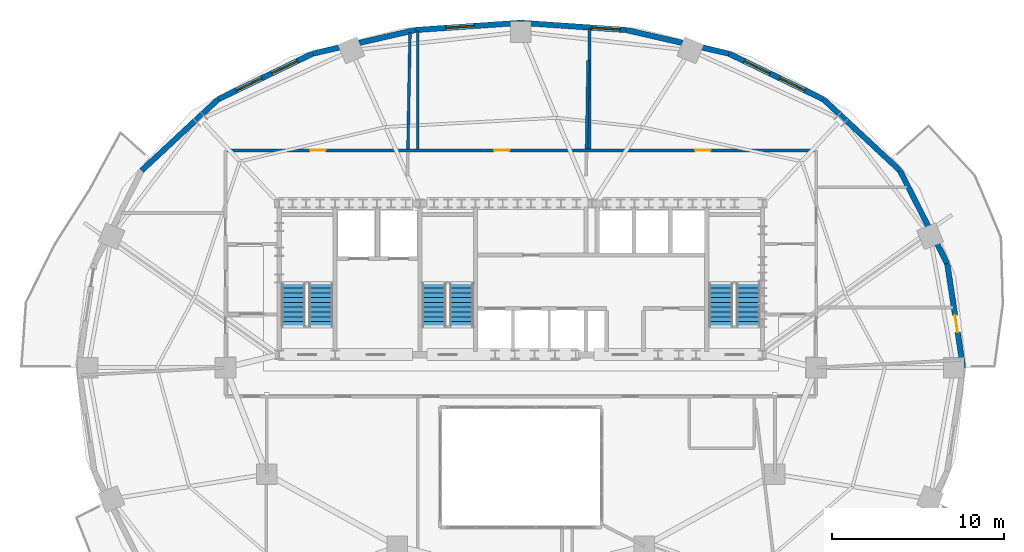
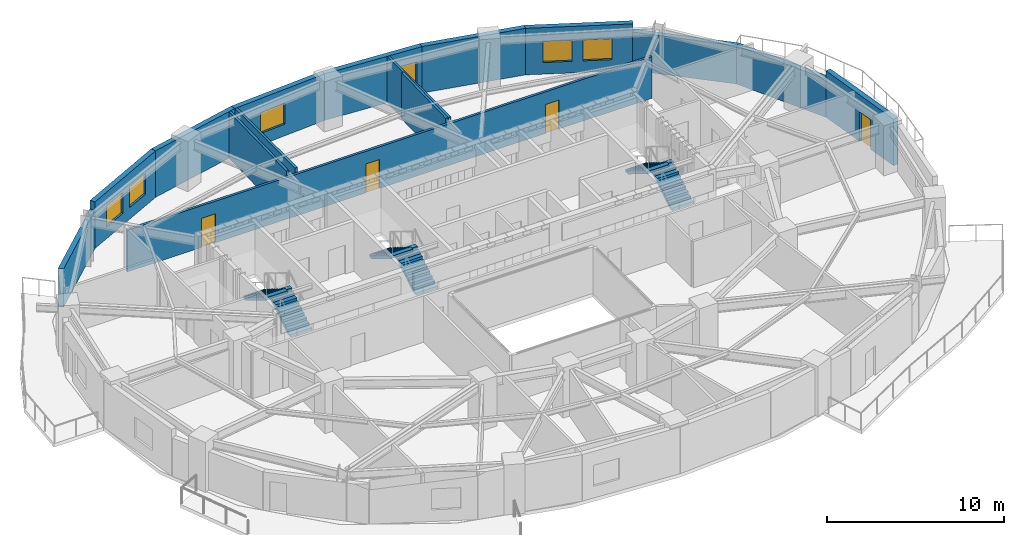
# One storey, part 8 of 11: 15 walls, 6 stair flights, 6 windows, 4 doors, 10 openings, 3 elements without a shape of their own.
"""IFC4 building model written with IfcOpenShell, lengths in metres."""

from ifc_helpers import new_model, si_unit, direction, frame, frame_2d, origin, place, context, subcontext, project, spatial, polyline, rectangle, outline, extrude, material, layer, layer_set, type_object, element, fill, aggregate, save


model = new_model("IFC4")

# Units and contexts
model_context = context("Model", 3, precision=1e-05, world=origin(), true_north=direction((0.0, 1.0)))
body_context = subcontext(model_context, "Body", "Model", "MODEL_VIEW")
ifc_project = project(units=[si_unit("LENGTHUNIT", "METRE"), si_unit("AREAUNIT", "SQUARE_METRE"), si_unit("VOLUMEUNIT", "CUBIC_METRE"), si_unit("PLANEANGLEUNIT", "RADIAN"), si_unit("MASSUNIT", "GRAM", prefix="KILO")], contexts=[model_context])

# Site, building, storey
site_placement = place(None, origin())
site = spatial("IfcSite", under=ifc_project, at=site_placement, CompositionType="ELEMENT")
building_placement = place(site_placement, origin())
building = spatial("IfcBuilding", under=site, at=building_placement, Name="Haldorwick Loom Tower", CompositionType="ELEMENT")
storey_placement = place(building_placement, frame((0.0, 0.0, 164.800048828125)))
storey = spatial("IfcBuildingStorey", under=building, at=storey_placement, Name="L44", CompositionType="ELEMENT", Elevation=164.800048828125)

# Wall, opening, door
ifc_material_1 = material(Name="Pressed Clay Face Brick and Insulated Masonry Backup Assembly", Category="masonry")
ifc_layer_1 = layer(ifc_material_1, 0.320068359375, Name="Pressed Clay Face Brick and Insulated Masonry Backup Assembly", Category="masonry")
ifc_layer_set_1 = layer_set([ifc_layer_1], Name="Pressed Clay Face Brick and Insulated Masonry Backup Assembly")
wall_type_1 = type_object("IfcWallType", Name="ARC-WL-EXT320", PredefinedType="STANDARD", material=ifc_layer_set_1)
wall_1_placement = place(storey_placement, frame((61.757080078125, 26.0, 0.0), z_axis=(0.0, 0.0, 1.0), x_axis=(-0.150544467684, 0.988603238539, 0.0)))
wall_1 = element("IfcWall", 1, at=wall_1_placement, inside=storey, type_object=wall_type_1, Name="L44 Brick Pier and Spandrel Wall 1", PredefinedType="STANDARD", context=body_context, shape_type="SweptSolid", body=[
    extrude(rectangle(XDim=6.125244140625, YDim=0.320068359375, at=frame_2d((3.0625, 0.0))), origin(), (0.0, 0.0, 1.0), 3.2099609375),
])
opening_1_placement = place(wall_1_placement, frame((2.08203125, 0.0, 0.0)))
opening_1 = element("IfcOpeningElement", 2, at=opening_1_placement, cuts=wall_1, Name="Opening D-BL10", PredefinedType="OPENING", context=body_context, shape_type="SweptSolid", body=[
    extrude(rectangle(XDim=1.0, YDim=2.0400390625, at=frame_2d((0.5, 1.02001953125))), frame((0.0, 0.169921875, 0.0), z_axis=(0.0, -1.0, 0.0), x_axis=(1.0, 0.0, 0.0)), (0.0, 0.0, 1.0), 0.340087890625),
])
ifc_material_2 = material(Name="Thermally Broken Anodized Aluminium Curtain Wall Framing", Category="aluminium")
door_type_1 = type_object("IfcDoorType", Name="ARC-DR-BAL100", OperationType="NOTDEFINED", PredefinedType="DOOR", material=ifc_material_2)
door_1_placement = place(opening_1_placement, origin())
door_1 = element("IfcDoor", 3, at=door_1_placement, inside=storey, type_object=door_type_1, Name="L44 Outdoor Terrace Door SLB-L44-BAL_ENE", OperationType="SINGLE_SWING_RIGHT", OverallHeight=2.0400390625, OverallWidth=1.0, PredefinedType="DOOR", context=body_context, shape_type="SweptSolid", body=[
    extrude(rectangle(XDim=1.0, YDim=2.0400390625, at=frame_2d((0.5, 1.02001953125))), frame((0.0, 0.02490234375, 0.0), z_axis=(0.0, -1.0, 0.0), x_axis=(1.0, 0.0, 0.0)), (0.0, 0.0, 1.0), 0.050048828125),
])
fill(opening_1, door_1)

# Walls
wall_2_placement = place(storey_placement, frame((60.8349609375, 32.055419921875, 0.0), z_axis=(0.0, 0.0, 1.0), x_axis=(-0.453172129629, 0.89142303141, 0.0)))
element("IfcWall", 4, at=wall_2_placement, inside=storey, type_object=wall_type_1, Name="L44 Brick Pier and Spandrel Wall 2", PredefinedType="STANDARD", context=body_context, shape_type="SweptSolid", body=[
    extrude(rectangle(XDim=6.086669921875, YDim=0.320068359375, at=frame_2d((3.04345703125, 0.0))), origin(), (0.0, 0.0, 1.0), 2.640869140625),
])
wall_3_placement = place(storey_placement, frame((58.07666015625, 37.481201171875, 0.0), z_axis=(0.0, 0.0, 1.0), x_axis=(-0.732001571644, 0.681302942244, 0.0)))
element("IfcWall", 5, at=wall_3_placement, inside=storey, type_object=wall_type_1, Name="L44 Brick Pier and Spandrel Wall 3", PredefinedType="STANDARD", context=body_context, shape_type="SweptSolid", body=[
    extrude(rectangle(XDim=6.0869140625, YDim=0.320068359375, at=frame_2d((3.04345703125, 0.0))), origin(), (0.0, 0.0, 1.0), 2.640869140625),
])

# Wall, openings, windows
wall_4_placement = place(storey_placement, frame((53.62109375, 41.628173828125, 0.0), z_axis=(0.0, 0.0, 1.0), x_axis=(-0.900472429216, 0.43491309962, 0.0)))
wall_4 = element("IfcWall", 6, at=wall_4_placement, inside=storey, type_object=wall_type_1, Name="L44 Brick Pier and Spandrel Wall 4", PredefinedType="STANDARD", context=body_context, shape_type="SweptSolid", body=[
    extrude(rectangle(XDim=6.1181640625, YDim=0.320068359375, at=frame_2d((3.05908203125, 0.0))), origin(), (0.0, 0.0, 1.0), 3.2099609375),
])
opening_2_placement = place(wall_4_placement, frame((1.181884765625, 0.0, 0.800048828125)))
opening_2 = element("IfcOpeningElement", 7, at=opening_2_placement, cuts=wall_4, Name="Opening W-01B", PredefinedType="OPENING", context=body_context, shape_type="SweptSolid", body=[
    extrude(rectangle(XDim=1.64990234375, YDim=1.449951171875, at=frame_2d((0.824951171875, 0.72509765625))), frame((0.0, 0.169921875, 0.0), z_axis=(0.0, -1.0, 0.0), x_axis=(1.0, 0.0, 0.0)), (0.0, 0.0, 1.0), 0.340087890625),
])
opening_3_placement = place(wall_4_placement, frame((3.4580078125, 0.0, 0.800048828125)))
opening_3 = element("IfcOpeningElement", 8, at=opening_3_placement, cuts=wall_4, Name="Opening W-01B", PredefinedType="OPENING", context=body_context, shape_type="SweptSolid", body=[
    extrude(rectangle(XDim=1.64990234375, YDim=1.449951171875, at=frame_2d((0.824951171875, 0.72509765625))), frame((0.0, 0.169921875, 0.0), z_axis=(0.0, -1.0, 0.0), x_axis=(1.0, 0.0, 0.0)), (0.0, 0.0, 1.0), 0.340087890625),
])
ifc_material_3 = material(Name="Triple-Glazed Low-E Argon Insulated Glazing Unit", Category="glass")
window_type = type_object("IfcWindowType", Name="ARC-WIN-W165", PartitioningType="SINGLE_PANEL", PredefinedType="WINDOW", material=ifc_material_3)
window_1_placement = place(opening_2_placement, origin())
window_1 = element("IfcWindow", 9, at=window_1_placement, inside=storey, type_object=window_type, Name="L44 Deep-Set Zone 7A Window 4", OverallHeight=1.449951171875, OverallWidth=1.64990234375, PartitioningType="SINGLE_PANEL", PredefinedType="WINDOW", context=body_context, shape_type="SweptSolid", body=[
    extrude(rectangle(XDim=1.64990234375, YDim=1.449951171875, at=frame_2d((0.824951171875, 0.72509765625))), frame((0.0, 0.030029296875, 0.0), z_axis=(0.0, -1.0, 0.0), x_axis=(1.0, 0.0, 0.0)), (0.0, 0.0, 1.0), 0.06005859375),
])
fill(opening_2, window_1)
window_2_placement = place(opening_3_placement, origin())
window_2 = element("IfcWindow", 10, at=window_2_placement, inside=storey, type_object=window_type, Name="L44 Deep-Set Zone 7A Window 4", OverallHeight=1.449951171875, OverallWidth=1.64990234375, PartitioningType="SINGLE_PANEL", PredefinedType="WINDOW", context=body_context, shape_type="SweptSolid", body=[
    extrude(rectangle(XDim=1.64990234375, YDim=1.449951171875, at=frame_2d((0.824951171875, 0.72509765625))), frame((0.0, 0.030029296875, 0.0), z_axis=(0.0, -1.0, 0.0), x_axis=(1.0, 0.0, 0.0)), (0.0, 0.0, 1.0), 0.06005859375),
])
fill(opening_3, window_2)

# Wall
wall_5_placement = place(storey_placement, frame((48.11181640625, 44.2890625, 0.0), z_axis=(0.0, 0.0, 1.0), x_axis=(-0.974593223547, 0.223982250674, 0.0)))
element("IfcWall", 11, at=wall_5_placement, inside=storey, type_object=wall_type_1, Name="L44 Brick Pier and Spandrel Wall 5", PredefinedType="STANDARD", context=body_context, shape_type="SweptSolid", body=[
    extrude(rectangle(XDim=6.138916015625, YDim=0.320068359375, at=frame_2d((3.0693359375, 0.0))), origin(), (0.0, 0.0, 1.0), 3.2099609375),
])

# Wall, opening, window
wall_6_placement = place(storey_placement, frame((42.12890625, 45.6640625, 0.0), z_axis=(0.0, 0.0, 1.0), x_axis=(-0.997652942988, 0.068473391522, 0.0)))
wall_6 = element("IfcWall", 12, at=wall_6_placement, inside=storey, type_object=wall_type_1, Name="L44 Brick Pier and Spandrel Wall 6", PredefinedType="STANDARD", context=body_context, shape_type="SweptSolid", body=[
    extrude(rectangle(XDim=6.143310546875, YDim=0.320068359375, at=frame_2d((3.07177734375, 0.0))), origin(), (0.0, 0.0, 1.0), 3.2099609375),
])
opening_4_placement = place(wall_6_placement, frame((0.340087890625, 0.0, 0.800048828125)))
opening_4 = element("IfcOpeningElement", 13, at=opening_4_placement, cuts=wall_6, Name="Opening W-01B", PredefinedType="OPENING", context=body_context, shape_type="SweptSolid", body=[
    extrude(rectangle(XDim=1.64990234375, YDim=1.449951171875, at=frame_2d((0.824951171875, 0.72509765625))), frame((0.0, 0.169921875, 0.0), z_axis=(0.0, -1.0, 0.0), x_axis=(1.0, 0.0, 0.0)), (0.0, 0.0, 1.0), 0.340087890625),
])
window_3_placement = place(opening_4_placement, origin())
window_3 = element("IfcWindow", 14, at=window_3_placement, inside=storey, type_object=window_type, Name="L44 Deep-Set Zone 7A Window 6", OverallHeight=1.449951171875, OverallWidth=1.64990234375, PartitioningType="SINGLE_PANEL", PredefinedType="WINDOW", context=body_context, shape_type="SweptSolid", body=[
    extrude(rectangle(XDim=1.64990234375, YDim=1.449951171875, at=frame_2d((0.824951171875, 0.72509765625))), frame((0.0, 0.030029296875, 0.0), z_axis=(0.0, -1.0, 0.0), x_axis=(1.0, 0.0, 0.0)), (0.0, 0.0, 1.0), 0.06005859375),
])
fill(opening_4, window_3)

wall_7_placement = place(storey_placement, frame((36.0, 46.084716796875, 0.0), z_axis=(0.0, 0.0, 1.0), x_axis=(-0.997652942988, -0.068473391522, 0.0)))
wall_7 = element("IfcWall", 15, at=wall_7_placement, inside=storey, type_object=wall_type_1, Name="L44 Brick Pier and Spandrel Wall 7", PredefinedType="STANDARD", context=body_context, shape_type="SweptSolid", body=[
    extrude(rectangle(XDim=6.143310546875, YDim=0.320068359375, at=frame_2d((3.07177734375, 0.0))), origin(), (0.0, 0.0, 1.0), 3.2099609375),
])
opening_5_placement = place(wall_7_placement, frame((2.723388671875, 0.0, 0.800048828125)))
opening_5 = element("IfcOpeningElement", 16, at=opening_5_placement, cuts=wall_7, Name="Opening W-01B", PredefinedType="OPENING", context=body_context, shape_type="SweptSolid", body=[
    extrude(rectangle(XDim=1.64990234375, YDim=1.449951171875, at=frame_2d((0.824951171875, 0.72509765625))), frame((0.0, 0.169921875, 0.0), z_axis=(0.0, -1.0, 0.0), x_axis=(1.0, 0.0, 0.0)), (0.0, 0.0, 1.0), 0.340087890625),
])
window_4_placement = place(opening_5_placement, origin())
window_4 = element("IfcWindow", 17, at=window_4_placement, inside=storey, type_object=window_type, Name="L44 Deep-Set Zone 7A Window 7", OverallHeight=1.449951171875, OverallWidth=1.64990234375, PartitioningType="SINGLE_PANEL", PredefinedType="WINDOW", context=body_context, shape_type="SweptSolid", body=[
    extrude(rectangle(XDim=1.64990234375, YDim=1.449951171875, at=frame_2d((0.824951171875, 0.72509765625))), frame((0.0, 0.030029296875, 0.0), z_axis=(0.0, -1.0, 0.0), x_axis=(1.0, 0.0, 0.0)), (0.0, 0.0, 1.0), 0.06005859375),
])
fill(opening_5, window_4)

# Wall
wall_8_placement = place(storey_placement, frame((29.87109375, 45.6640625, 0.0), z_axis=(0.0, 0.0, 1.0), x_axis=(-0.974593223547, -0.223982250674, 0.0)))
element("IfcWall", 18, at=wall_8_placement, inside=storey, type_object=wall_type_1, Name="L44 Brick Pier and Spandrel Wall 8", PredefinedType="STANDARD", context=body_context, shape_type="SweptSolid", body=[
    extrude(rectangle(XDim=6.138916015625, YDim=0.320068359375, at=frame_2d((3.0693359375, 0.0))), origin(), (0.0, 0.0, 1.0), 3.2099609375),
])

# Wall, openings, windows
wall_9_placement = place(storey_placement, frame((23.88818359375, 44.2890625, 0.0), z_axis=(0.0, 0.0, 1.0), x_axis=(-0.900479976617, -0.434897472644, 0.0)))
wall_9 = element("IfcWall", 19, at=wall_9_placement, inside=storey, type_object=wall_type_1, Name="L44 Brick Pier and Spandrel Wall 9", PredefinedType="STANDARD", context=body_context, shape_type="SweptSolid", body=[
    extrude(rectangle(XDim=6.118408203125, YDim=0.320068359375, at=frame_2d((3.05908203125, 0.0))), origin(), (0.0, 0.0, 1.0), 3.2099609375),
])
opening_6_placement = place(wall_9_placement, frame((1.010498046875, 0.0, 0.800048828125)))
opening_6 = element("IfcOpeningElement", 20, at=opening_6_placement, cuts=wall_9, Name="Opening W-01B", PredefinedType="OPENING", context=body_context, shape_type="SweptSolid", body=[
    extrude(rectangle(XDim=1.64990234375, YDim=1.449951171875, at=frame_2d((0.824951171875, 0.72509765625))), frame((0.0, 0.169921875, 0.0), z_axis=(0.0, -1.0, 0.0), x_axis=(1.0, 0.0, 0.0)), (0.0, 0.0, 1.0), 0.340087890625),
])
opening_7_placement = place(wall_9_placement, frame((3.28662109375, 0.0, 0.800048828125)))
opening_7 = element("IfcOpeningElement", 21, at=opening_7_placement, cuts=wall_9, Name="Opening W-01B", PredefinedType="OPENING", context=body_context, shape_type="SweptSolid", body=[
    extrude(rectangle(XDim=1.64990234375, YDim=1.449951171875, at=frame_2d((0.824951171875, 0.72509765625))), frame((0.0, 0.169921875, 0.0), z_axis=(0.0, -1.0, 0.0), x_axis=(1.0, 0.0, 0.0)), (0.0, 0.0, 1.0), 0.340087890625),
])
window_5_placement = place(opening_6_placement, origin())
window_5 = element("IfcWindow", 22, at=window_5_placement, inside=storey, type_object=window_type, Name="L44 Deep-Set Zone 7A Window 9", OverallHeight=1.449951171875, OverallWidth=1.64990234375, PartitioningType="SINGLE_PANEL", PredefinedType="WINDOW", context=body_context, shape_type="SweptSolid", body=[
    extrude(rectangle(XDim=1.64990234375, YDim=1.449951171875, at=frame_2d((0.824951171875, 0.72509765625))), frame((0.0, 0.030029296875, 0.0), z_axis=(0.0, -1.0, 0.0), x_axis=(1.0, 0.0, 0.0)), (0.0, 0.0, 1.0), 0.06005859375),
])
fill(opening_6, window_5)
window_6_placement = place(opening_7_placement, origin())
window_6 = element("IfcWindow", 23, at=window_6_placement, inside=storey, type_object=window_type, Name="L44 Deep-Set Zone 7A Window 9", OverallHeight=1.449951171875, OverallWidth=1.64990234375, PartitioningType="SINGLE_PANEL", PredefinedType="WINDOW", context=body_context, shape_type="SweptSolid", body=[
    extrude(rectangle(XDim=1.64990234375, YDim=1.449951171875, at=frame_2d((0.824951171875, 0.72509765625))), frame((0.0, 0.030029296875, 0.0), z_axis=(0.0, -1.0, 0.0), x_axis=(1.0, 0.0, 0.0)), (0.0, 0.0, 1.0), 0.06005859375),
])
fill(opening_7, window_6)

# Wall
wall_10_placement = place(storey_placement, frame((18.378662109375, 41.628173828125, 0.0), z_axis=(0.0, 0.0, 1.0), x_axis=(-0.731982952968, -0.681322945866, 0.0)))
element("IfcWall", 24, at=wall_10_placement, inside=storey, type_object=wall_type_1, Name="L44 Brick Pier and Spandrel Wall 10", PredefinedType="STANDARD", context=body_context, shape_type="SweptSolid", body=[
    extrude(rectangle(XDim=6.086669921875, YDim=0.320068359375, at=frame_2d((3.04345703125, 0.0))), origin(), (0.0, 0.0, 1.0), 2.640869140625),
])

# Wall, openings, doors
ifc_material_4 = material(Name="Fire-Rated Type X Gypsum Stud Assembly EI 60")
ifc_layer_2 = layer(ifc_material_4, 0.159912109375, Name="Fire-Rated Type X Gypsum Stud Assembly EI 60")
ifc_layer_set_2 = layer_set([ifc_layer_2], Name="Fire-Rated Type X Gypsum Stud Assembly EI 60")
wall_type_2 = type_object("IfcWallType", Name="ARC-WL-FIRE160", PredefinedType="PARTITIONING", material=ifc_layer_set_2)
wall_11_placement = place(storey_placement, frame((18.883056640625, 38.64990234375, 0.0), z_axis=(0.0, 0.0, 1.0), x_axis=(1.0, 0.0, 0.0)))
wall_11 = element("IfcWall", 25, at=wall_11_placement, inside=storey, type_object=wall_type_2, Name="L44 Residential Fire Partition L44-CR-N0", PredefinedType="PARTITIONING", context=body_context, shape_type="SweptSolid", body=[
    extrude(rectangle(XDim=34.23388671875, YDim=0.159912109375, at=frame_2d((17.116943359375, 0.0))), origin(), (0.0, 0.0, 1.0), 2.8720703125),
])
opening_8_placement = place(wall_11_placement, frame((27.2685546875, 0.0, 0.0)))
opening_8 = element("IfcOpeningElement", 26, at=opening_8_placement, cuts=wall_11, Name="Opening D-FD60A", PredefinedType="OPENING", context=body_context, shape_type="SweptSolid", body=[
    extrude(rectangle(XDim=0.89990234375, YDim=2.0, at=frame_2d((0.449951171875, 1.0))), frame((0.0, 0.08984375, 0.0), z_axis=(0.0, -1.0, 0.0), x_axis=(1.0, 0.0, 0.0)), (0.0, 0.0, 1.0), 0.179931640625),
])
opening_9_placement = place(wall_11_placement, frame((4.8505859375, 0.0, 0.0)))
opening_9 = element("IfcOpeningElement", 27, at=opening_9_placement, cuts=wall_11, Name="Opening D-FD60A", PredefinedType="OPENING", context=body_context, shape_type="SweptSolid", body=[
    extrude(rectangle(XDim=0.89990234375, YDim=2.0, at=frame_2d((0.449951171875, 1.0))), frame((0.0, 0.08984375, 0.0), z_axis=(0.0, -1.0, 0.0), x_axis=(1.0, 0.0, 0.0)), (0.0, 0.0, 1.0), 0.179931640625),
])
opening_10_placement = place(wall_11_placement, frame((15.562744140625, 0.0, 0.0)))
opening_10 = element("IfcOpeningElement", 28, at=opening_10_placement, cuts=wall_11, Name="Opening D-FD60A", PredefinedType="OPENING", context=body_context, shape_type="SweptSolid", body=[
    extrude(rectangle(XDim=0.89990234375, YDim=2.0, at=frame_2d((0.449951171875, 1.0))), frame((0.0, 0.08984375, 0.0), z_axis=(0.0, -1.0, 0.0), x_axis=(1.0, 0.0, 0.0)), (0.0, 0.0, 1.0), 0.179931640625),
])
ifc_material_5 = material(Name="Hollow Steel Fire Door Assembly", Category="steel")
door_type_2 = type_object("IfcDoorType", Name="ARC-DR-FD60-90", OperationType="NOTDEFINED", PredefinedType="DOOR", material=ifc_material_5)
door_2_placement = place(opening_8_placement, frame((0.89990234375, 0.0, 0.0), z_axis=(0.0, 0.0, 1.0), x_axis=(-1.0, 0.0, 0.0)))
door_2 = element("IfcDoor", 29, at=door_2_placement, inside=storey, type_object=door_type_2, Name="L44 Tenant Seminar Meeting Room 3 to L44 North Residential Corridor Door", OperationType="SINGLE_SWING_RIGHT", OverallHeight=2.0, OverallWidth=0.89990234375, PredefinedType="DOOR", context=body_context, shape_type="SweptSolid", body=[
    extrude(rectangle(XDim=0.89990234375, YDim=2.0, at=frame_2d((0.449951171875, 1.0))), frame((0.0, 0.02490234375, 0.0), z_axis=(0.0, -1.0, 0.0), x_axis=(1.0, 0.0, 0.0)), (0.0, 0.0, 1.0), 0.050048828125),
])
fill(opening_8, door_2)
door_3_placement = place(opening_9_placement, frame((0.89990234375, 0.0, 0.0), z_axis=(0.0, 0.0, 1.0), x_axis=(-1.0, 0.0, 0.0)))
door_3 = element("IfcDoor", 30, at=door_3_placement, inside=storey, type_object=door_type_2, Name="L44 Tenant Seminar Meeting Room 2 to L44 North Residential Corridor Door", OperationType="SINGLE_SWING_LEFT", OverallHeight=2.0, OverallWidth=0.89990234375, PredefinedType="DOOR", context=body_context, shape_type="SweptSolid", body=[
    extrude(rectangle(XDim=0.89990234375, YDim=2.0, at=frame_2d((0.449951171875, 1.0))), frame((0.0, 0.02490234375, 0.0), z_axis=(0.0, -1.0, 0.0), x_axis=(1.0, 0.0, 0.0)), (0.0, 0.0, 1.0), 0.050048828125),
])
fill(opening_9, door_3)
door_4_placement = place(opening_10_placement, frame((0.89990234375, 0.0, 0.0), z_axis=(0.0, 0.0, 1.0), x_axis=(-1.0, 0.0, 0.0)))
door_4 = element("IfcDoor", 31, at=door_4_placement, inside=storey, type_object=door_type_2, Name="L44 Tenant Seminar Meeting Room 4 to L44 North Residential Corridor Door", OperationType="SINGLE_SWING_RIGHT", OverallHeight=2.0, OverallWidth=0.89990234375, PredefinedType="DOOR", context=body_context, shape_type="SweptSolid", body=[
    extrude(rectangle(XDim=0.89990234375, YDim=2.0, at=frame_2d((0.449951171875, 1.0))), frame((0.0, 0.02490234375, 0.0), z_axis=(0.0, -1.0, 0.0), x_axis=(1.0, 0.0, 0.0)), (0.0, 0.0, 1.0), 0.050048828125),
])
fill(opening_10, door_4)

# Walls
wall_12_placement = place(storey_placement, frame((30.0, 38.73291015625, 0.0), z_axis=(0.0, 0.0, 1.0), x_axis=(0.0, 1.0, 0.0)))
element("IfcWall", 32, at=wall_12_placement, inside=storey, type_object=wall_type_2, Name="L44 Residential Fire Partition L44-NBP-0", PredefinedType="PARTITIONING", context=body_context, shape_type="SweptSolid", body=[
    extrude(rectangle(XDim=6.874755859375, YDim=0.159912109375, at=frame_2d((3.4375, 0.0))), origin(), (0.0, 0.0, 1.0), 3.195068359375),
])
wall_13_placement = place(storey_placement, frame((40.0, 38.73291015625, 0.0), z_axis=(0.0, 0.0, 1.0), x_axis=(0.0, 1.0, 0.0)))
element("IfcWall", 33, at=wall_13_placement, inside=storey, type_object=wall_type_2, Name="L44 Residential Fire Partition L44-NBP-1", PredefinedType="PARTITIONING", context=body_context, shape_type="SweptSolid", body=[
    extrude(rectangle(XDim=7.011962890625, YDim=0.159912109375, at=frame_2d((3.505859375, 0.0))), origin(), (0.0, 0.0, 1.0), 3.195068359375),
])
wall_14_placement = place(storey_placement, frame((29.427490234375, 38.73291015625, 0.0), z_axis=(0.0, 0.0, 1.0), x_axis=(0.017401176434, 0.999848588067, 0.0)))
element("IfcWall", 34, at=wall_14_placement, inside=storey, type_object=wall_type_2, Name="L44 Residential Fire Partition L44-UPN-12", PredefinedType="PARTITIONING", context=body_context, shape_type="SweptSolid", body=[
    extrude(rectangle(XDim=6.79052734375, YDim=0.159912109375, at=frame_2d((3.395263671875, 0.0))), origin(), (0.0, 0.0, 1.0), 3.195068359375),
])
wall_15_placement = place(storey_placement, frame((39.827392578125, 38.73291015625, 0.0), z_axis=(0.0, 0.0, 1.0), x_axis=(0.017408054836, 0.999848468332, 0.0)))
element("IfcWall", 35, at=wall_15_placement, inside=storey, type_object=wall_type_2, Name="L44 Residential Fire Partition L44-UPN-13", PredefinedType="PARTITIONING", context=body_context, shape_type="SweptSolid", body=[
    extrude(rectangle(XDim=5.14697265625, YDim=0.159912109375, at=frame_2d((2.573486328125, 0.0))), origin(), (0.0, 0.0, 1.0), 3.195068359375),
])

# Stair, stair flights
ifc_material_6 = material(Name="Concrete C40 (40 MPa)", Category="concrete")
stair_type = type_object("IfcStairType", Name="STR-STR-CORE", PredefinedType="HALF_TURN_STAIR", material=ifc_material_6)
stair_1_placement = place(storey_placement, origin())
stair_1 = element("IfcStair", 36, at=stair_1_placement, inside=storey, type_object=stair_type, Name="L44 Exit Stair ST-01", PredefinedType="HALF_TURN_STAIR")
stair_flight_type = type_object("IfcStairFlightType", Name="STR-STF-1250", PredefinedType="STRAIGHT", material=ifc_material_6)
stair_flight_1_placement = place(storey_placement, frame((24.35009765625, 28.39990234375, 0.0), z_axis=(0.0, 0.0, 1.0), x_axis=(0.0, 1.0, 0.0)))
stair_flight_1 = element("IfcStairFlight", 37, at=stair_flight_1_placement, type_object=stair_flight_type, Name="ST-01 flight 1", NumberOfRisers=10, NumberOfTreads=9, PredefinedType="STRAIGHT", RiserHeight=0.1725, TreadLength=0.28, context=body_context, shape_type="SweptSolid", body=[
    extrude(outline(polyline([(0.0, 0.0), (0.0, 0.172607421875), (0.280029296875, 0.172607421875), (0.280029296875, 0.344970703125), (0.56005859375, 0.344970703125), (0.56005859375, 0.517578125), (0.840087890625, 0.517578125), (0.840087890625, 0.68994140625), (1.1201171875, 0.68994140625), (1.1201171875, 0.862548828125), (1.39990234375, 0.862548828125), (1.39990234375, 1.034912109375), (1.679931640625, 1.034912109375), (1.679931640625, 1.20751953125), (1.9599609375, 1.20751953125), (1.9599609375, 1.3798828125), (2.239990234375, 1.3798828125), (2.239990234375, 1.552490234375), (2.52001953125, 1.552490234375), (2.52001953125, 1.72509765625), (2.52001953125, 1.37646484375), (0.285888671875, 0.0), (0.0, 0.0)])), frame((0.0, 0.699951171875, 0.0), z_axis=(0.0, -1.0, 0.0), x_axis=(1.0, 0.0, 0.0)), (0.0, 0.0, 1.0), 1.39990234375),
])
stair_flight_2_placement = place(storey_placement, frame((22.75, 30.919921875, 1.724853515625), z_axis=(0.0, 0.0, 1.0), x_axis=(0.0, -1.0, 0.0)))
stair_flight_2 = element("IfcStairFlight", 38, at=stair_flight_2_placement, type_object=stair_flight_type, Name="ST-01 flight 2", NumberOfRisers=10, NumberOfTreads=9, PredefinedType="STRAIGHT", RiserHeight=0.1725, TreadLength=0.28, context=body_context, shape_type="SweptSolid", body=[
    extrude(outline(polyline([(0.0, 0.0), (0.0, 0.172607421875), (0.280029296875, 0.172607421875), (0.280029296875, 0.344970703125), (0.56005859375, 0.344970703125), (0.56005859375, 0.517578125), (0.840087890625, 0.517578125), (0.840087890625, 0.68994140625), (1.1201171875, 0.68994140625), (1.1201171875, 0.862548828125), (1.39990234375, 0.862548828125), (1.39990234375, 1.034912109375), (1.679931640625, 1.034912109375), (1.679931640625, 1.20751953125), (1.9599609375, 1.20751953125), (1.9599609375, 1.3798828125), (2.239990234375, 1.3798828125), (2.239990234375, 1.552490234375), (2.52001953125, 1.552490234375), (2.52001953125, 1.72509765625), (2.52001953125, 1.37646484375), (0.285888671875, 0.0), (0.0, 0.0)])), frame((0.0, 0.699951171875, 0.0), z_axis=(0.0, -1.0, 0.0), x_axis=(1.0, 0.0, 0.0)), (0.0, 0.0, 1.0), 1.39990234375),
])
aggregate(stair_1, [stair_flight_1, stair_flight_2])

stair_2_placement = place(storey_placement, origin())
stair_2 = element("IfcStair", 39, at=stair_2_placement, inside=storey, type_object=stair_type, Name="L44 Exit Stair ST-02", PredefinedType="HALF_TURN_STAIR")
stair_flight_3_placement = place(storey_placement, frame((49.25, 28.39990234375, 0.0), z_axis=(0.0, 0.0, 1.0), x_axis=(0.0, 1.0, 0.0)))
stair_flight_3 = element("IfcStairFlight", 40, at=stair_flight_3_placement, type_object=stair_flight_type, Name="ST-02 flight 1", NumberOfRisers=10, NumberOfTreads=9, PredefinedType="STRAIGHT", RiserHeight=0.1725, TreadLength=0.28, context=body_context, shape_type="SweptSolid", body=[
    extrude(outline(polyline([(0.0, 0.0), (0.0, 0.172607421875), (0.280029296875, 0.172607421875), (0.280029296875, 0.344970703125), (0.56005859375, 0.344970703125), (0.56005859375, 0.517578125), (0.840087890625, 0.517578125), (0.840087890625, 0.68994140625), (1.1201171875, 0.68994140625), (1.1201171875, 0.862548828125), (1.39990234375, 0.862548828125), (1.39990234375, 1.034912109375), (1.679931640625, 1.034912109375), (1.679931640625, 1.20751953125), (1.9599609375, 1.20751953125), (1.9599609375, 1.3798828125), (2.239990234375, 1.3798828125), (2.239990234375, 1.552490234375), (2.52001953125, 1.552490234375), (2.52001953125, 1.72509765625), (2.52001953125, 1.37646484375), (0.285888671875, 0.0), (0.0, 0.0)])), frame((0.0, 0.699951171875, 0.0), z_axis=(0.0, -1.0, 0.0), x_axis=(1.0, 0.0, 0.0)), (0.0, 0.0, 1.0), 1.39990234375),
])
stair_flight_4_placement = place(storey_placement, frame((47.64990234375, 30.919921875, 1.724853515625), z_axis=(0.0, 0.0, 1.0), x_axis=(0.0, -1.0, 0.0)))
stair_flight_4 = element("IfcStairFlight", 41, at=stair_flight_4_placement, type_object=stair_flight_type, Name="ST-02 flight 2", NumberOfRisers=10, NumberOfTreads=9, PredefinedType="STRAIGHT", RiserHeight=0.1725, TreadLength=0.28, context=body_context, shape_type="SweptSolid", body=[
    extrude(outline(polyline([(0.0, 0.0), (0.0, 0.172607421875), (0.280029296875, 0.172607421875), (0.280029296875, 0.344970703125), (0.56005859375, 0.344970703125), (0.56005859375, 0.517578125), (0.840087890625, 0.517578125), (0.840087890625, 0.68994140625), (1.1201171875, 0.68994140625), (1.1201171875, 0.862548828125), (1.39990234375, 0.862548828125), (1.39990234375, 1.034912109375), (1.679931640625, 1.034912109375), (1.679931640625, 1.20751953125), (1.9599609375, 1.20751953125), (1.9599609375, 1.3798828125), (2.239990234375, 1.3798828125), (2.239990234375, 1.552490234375), (2.52001953125, 1.552490234375), (2.52001953125, 1.72509765625), (2.52001953125, 1.37646484375), (0.285888671875, 0.0), (0.0, 0.0)])), frame((0.0, 0.699951171875, 0.0), z_axis=(0.0, -1.0, 0.0), x_axis=(1.0, 0.0, 0.0)), (0.0, 0.0, 1.0), 1.39990234375),
])
aggregate(stair_2, [stair_flight_3, stair_flight_4])

stair_3_placement = place(storey_placement, origin())
stair_3 = element("IfcStair", 42, at=stair_3_placement, inside=storey, type_object=stair_type, Name="L44 Exit Stair ST-03", PredefinedType="HALF_TURN_STAIR")
stair_flight_5_placement = place(storey_placement, frame((32.550048828125, 28.39990234375, 0.0), z_axis=(0.0, 0.0, 1.0), x_axis=(0.0, 1.0, 0.0)))
stair_flight_5 = element("IfcStairFlight", 43, at=stair_flight_5_placement, type_object=stair_flight_type, Name="ST-03 flight 1", NumberOfRisers=10, NumberOfTreads=9, PredefinedType="STRAIGHT", RiserHeight=0.1725, TreadLength=0.28, context=body_context, shape_type="SweptSolid", body=[
    extrude(outline(polyline([(0.0, 0.0), (0.0, 0.172607421875), (0.280029296875, 0.172607421875), (0.280029296875, 0.344970703125), (0.56005859375, 0.344970703125), (0.56005859375, 0.517578125), (0.840087890625, 0.517578125), (0.840087890625, 0.68994140625), (1.1201171875, 0.68994140625), (1.1201171875, 0.862548828125), (1.39990234375, 0.862548828125), (1.39990234375, 1.034912109375), (1.679931640625, 1.034912109375), (1.679931640625, 1.20751953125), (1.9599609375, 1.20751953125), (1.9599609375, 1.3798828125), (2.239990234375, 1.3798828125), (2.239990234375, 1.552490234375), (2.52001953125, 1.552490234375), (2.52001953125, 1.72509765625), (2.52001953125, 1.37646484375), (0.285888671875, 0.0), (0.0, 0.0)])), frame((0.0, 0.699951171875, 0.0), z_axis=(0.0, -1.0, 0.0), x_axis=(1.0, 0.0, 0.0)), (0.0, 0.0, 1.0), 1.39990234375),
])
stair_flight_6_placement = place(storey_placement, frame((30.949951171875, 30.919921875, 1.724853515625), z_axis=(0.0, 0.0, 1.0), x_axis=(0.0, -1.0, 0.0)))
stair_flight_6 = element("IfcStairFlight", 44, at=stair_flight_6_placement, type_object=stair_flight_type, Name="ST-03 flight 2", NumberOfRisers=10, NumberOfTreads=9, PredefinedType="STRAIGHT", RiserHeight=0.1725, TreadLength=0.28, context=body_context, shape_type="SweptSolid", body=[
    extrude(outline(polyline([(0.0, 0.0), (0.0, 0.172607421875), (0.280029296875, 0.172607421875), (0.280029296875, 0.344970703125), (0.56005859375, 0.344970703125), (0.56005859375, 0.517578125), (0.840087890625, 0.517578125), (0.840087890625, 0.68994140625), (1.1201171875, 0.68994140625), (1.1201171875, 0.862548828125), (1.39990234375, 0.862548828125), (1.39990234375, 1.034912109375), (1.679931640625, 1.034912109375), (1.679931640625, 1.20751953125), (1.9599609375, 1.20751953125), (1.9599609375, 1.3798828125), (2.239990234375, 1.3798828125), (2.239990234375, 1.552490234375), (2.52001953125, 1.552490234375), (2.52001953125, 1.72509765625), (2.52001953125, 1.37646484375), (0.285888671875, 0.0), (0.0, 0.0)])), frame((0.0, 0.699951171875, 0.0), z_axis=(0.0, -1.0, 0.0), x_axis=(1.0, 0.0, 0.0)), (0.0, 0.0, 1.0), 1.39990234375),
])
aggregate(stair_3, [stair_flight_5, stair_flight_6])

save(model, "model.ifc")
